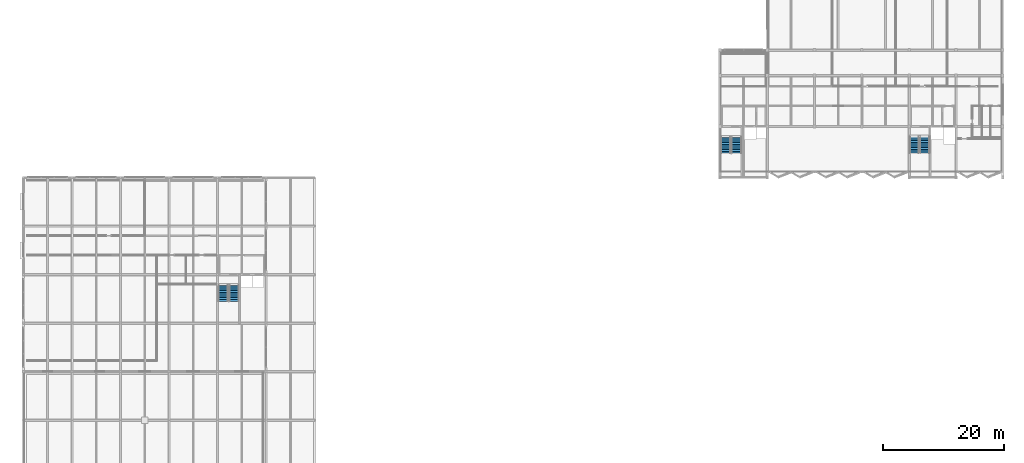
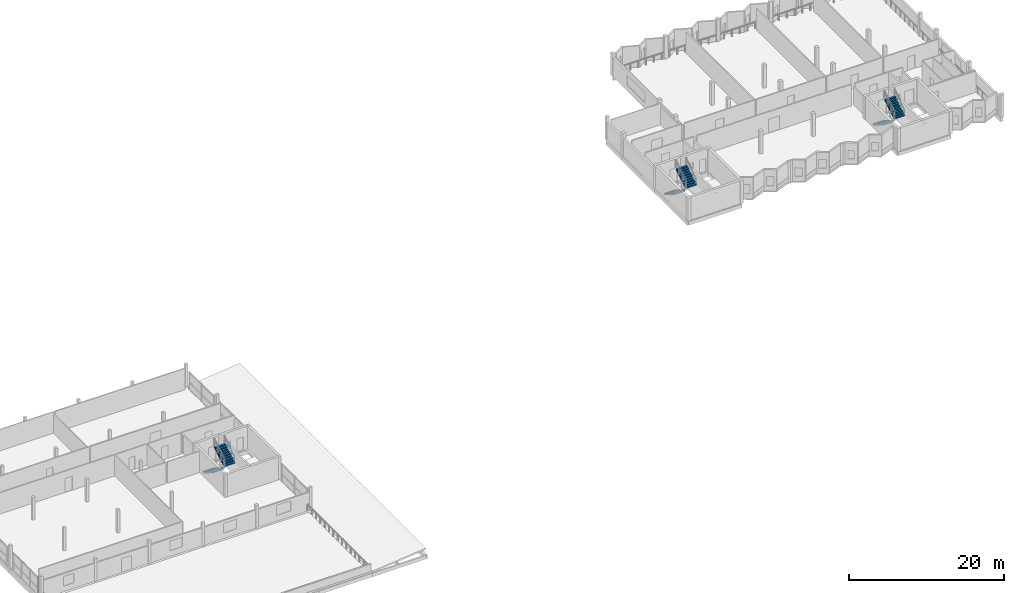
# One storey, part 19 of 25: 6 stair flights, 3 elements without a shape of their own.
"""IFC4 building model written with IfcOpenShell, lengths in metres."""

from ifc_helpers import new_model, si_unit, direction, frame, origin, place, context, subcontext, project, spatial, polyline, outline, extrude, material, type_object, element, aggregate, save


model = new_model("IFC4")

# Units and contexts
model_context = context("Model", 3, precision=1e-05, world=origin(), true_north=direction((0.0, 1.0)))
body_context = subcontext(model_context, "Body", "Model", "MODEL_VIEW")
ifc_project = project(units=[si_unit("LENGTHUNIT", "METRE"), si_unit("AREAUNIT", "SQUARE_METRE"), si_unit("VOLUMEUNIT", "CUBIC_METRE"), si_unit("PLANEANGLEUNIT", "RADIAN"), si_unit("MASSUNIT", "GRAM", prefix="KILO")], contexts=[model_context])

# Site, building, storey
site_placement = place(None, origin())
site = spatial("IfcSite", under=ifc_project, at=site_placement, CompositionType="ELEMENT")
building_placement = place(site_placement, origin())
building = spatial("IfcBuilding", under=site, at=building_placement, Name="Vharandega Faculty of Natural Sciences", CompositionType="ELEMENT")
storey_placement = place(building_placement, frame((0.0, 0.0, 25.199951171875)))
storey = spatial("IfcBuildingStorey", under=building, at=storey_placement, Name="L06", CompositionType="ELEMENT", Elevation=25.199951171875)

# Stair, stair flights
ifc_material_1 = material(Name="Concrete C40/50", Category="concrete")
stair_type_1 = type_object("IfcStairType", Name="Escape Dog-Leg Stair W160 H360", PredefinedType="HALF_TURN_STAIR", material=ifc_material_1)
stair_1_placement = place(storey_placement, origin())
stair_1 = element("IfcStair", 1, at=stair_1_placement, inside=storey, type_object=stair_type_1, Name="L06 Escape Stair ST2", PredefinedType="HALF_TURN_STAIR")
ifc_material_2 = material(Name="Concrete C40/50", Category="concrete")
stair_flight_type_1 = type_object("IfcStairFlightType", Name="Precast Stair Flight W160 H360", PredefinedType="STRAIGHT", material=ifc_material_2)
stair_flight_1_placement = place(storey_placement, frame((146.860107421875, 70.659912109375, 0.0), z_axis=(0.0, 0.0, 1.0), x_axis=(0.0, -1.0, 0.0)))
stair_flight_1 = element("IfcStairFlight", 2, at=stair_flight_1_placement, type_object=stair_flight_type_1, Name="ST2 flight 1", NumberOfRisers=10, NumberOfTreads=9, PredefinedType="STRAIGHT", RiserHeight=0.18, TreadLength=0.29, context=body_context, shape_type="SweptSolid", body=[
    extrude(outline(polyline([(0.0, 0.0), (0.0, 0.179931640625), (0.2900390625, 0.179931640625), (0.2900390625, 0.360107421875), (0.580078125, 0.360107421875), (0.580078125, 0.5400390625), (0.8701171875, 0.5400390625), (0.8701171875, 0.719970703125), (1.159912109375, 0.719970703125), (1.159912109375, 0.89990234375), (1.449951171875, 0.89990234375), (1.449951171875, 1.080078125), (1.739990234375, 1.080078125), (1.739990234375, 1.260009765625), (2.030029296875, 1.260009765625), (2.030029296875, 1.43994140625), (2.320068359375, 1.43994140625), (2.320068359375, 1.6201171875), (2.610107421875, 1.6201171875), (2.610107421875, 1.800048828125), (2.610107421875, 1.443603515625), (0.2841796875, 0.0), (0.0, 0.0)])), frame((0.0, 0.800048828125, 0.0), z_axis=(0.0, -1.0, 0.0), x_axis=(1.0, 0.0, 0.0)), (0.0, 0.0, 1.0), 1.60009765625),
])
stair_flight_2_placement = place(storey_placement, frame((148.580078125, 68.050048828125, 1.800048828125), z_axis=(0.0, 0.0, 1.0), x_axis=(0.0, 1.0, 0.0)))
stair_flight_2 = element("IfcStairFlight", 3, at=stair_flight_2_placement, type_object=stair_flight_type_1, Name="ST2 flight 2", NumberOfRisers=10, NumberOfTreads=9, PredefinedType="STRAIGHT", RiserHeight=0.18, TreadLength=0.29, context=body_context, shape_type="SweptSolid", body=[
    extrude(outline(polyline([(0.0, 0.0), (0.0, 0.179931640625), (0.2900390625, 0.179931640625), (0.2900390625, 0.360107421875), (0.580078125, 0.360107421875), (0.580078125, 0.5400390625), (0.8701171875, 0.5400390625), (0.8701171875, 0.719970703125), (1.159912109375, 0.719970703125), (1.159912109375, 0.89990234375), (1.449951171875, 0.89990234375), (1.449951171875, 1.080078125), (1.739990234375, 1.080078125), (1.739990234375, 1.260009765625), (2.030029296875, 1.260009765625), (2.030029296875, 1.43994140625), (2.320068359375, 1.43994140625), (2.320068359375, 1.6201171875), (2.610107421875, 1.6201171875), (2.610107421875, 1.800048828125), (2.610107421875, 1.443603515625), (0.2841796875, 0.0), (0.0, 0.0)])), frame((0.0, 0.800048828125, 0.0), z_axis=(0.0, -1.0, 0.0), x_axis=(1.0, 0.0, 0.0)), (0.0, 0.0, 1.0), 1.60009765625),
])
aggregate(stair_1, [stair_flight_1, stair_flight_2])

ifc_material_3 = material(Name="Concrete C40/50", Category="concrete")
stair_type_2 = type_object("IfcStairType", Name="Escape Dog-Leg Stair W165 H360", PredefinedType="HALF_TURN_STAIR", material=ifc_material_3)
stair_2_placement = place(storey_placement, origin())
stair_2 = element("IfcStair", 4, at=stair_2_placement, inside=storey, type_object=stair_type_2, Name="L06 Escape Stair ST1", PredefinedType="HALF_TURN_STAIR")
ifc_material_4 = material(Name="Concrete C40/50", Category="concrete")
stair_flight_type_2 = type_object("IfcStairFlightType", Name="Precast Stair Flight W165 H360", PredefinedType="STRAIGHT", material=ifc_material_4)
stair_flight_3_placement = place(storey_placement, frame((115.764892578125, 70.610107421875, 0.0), z_axis=(0.0, 0.0, 1.0), x_axis=(0.0, -1.0, 0.0)))
stair_flight_3 = element("IfcStairFlight", 5, at=stair_flight_3_placement, type_object=stair_flight_type_2, Name="ST1 flight 1", NumberOfRisers=10, NumberOfTreads=9, PredefinedType="STRAIGHT", RiserHeight=0.18, TreadLength=0.29, context=body_context, shape_type="SweptSolid", body=[
    extrude(outline(polyline([(0.0, 0.0), (0.0, 0.179931640625), (0.2900390625, 0.179931640625), (0.2900390625, 0.360107421875), (0.580078125, 0.360107421875), (0.580078125, 0.5400390625), (0.8701171875, 0.5400390625), (0.8701171875, 0.719970703125), (1.159912109375, 0.719970703125), (1.159912109375, 0.89990234375), (1.449951171875, 0.89990234375), (1.449951171875, 1.080078125), (1.739990234375, 1.080078125), (1.739990234375, 1.260009765625), (2.030029296875, 1.260009765625), (2.030029296875, 1.43994140625), (2.320068359375, 1.43994140625), (2.320068359375, 1.6201171875), (2.610107421875, 1.6201171875), (2.610107421875, 1.800048828125), (2.610107421875, 1.443603515625), (0.2841796875, 0.0), (0.0, 0.0)])), frame((0.0, 0.824951171875, 0.0), z_axis=(0.0, -1.0, 0.0), x_axis=(1.0, 0.0, 0.0)), (0.0, 0.0, 1.0), 1.64990234375),
])
stair_flight_4_placement = place(storey_placement, frame((117.534912109375, 68.0, 1.800048828125), z_axis=(0.0, 0.0, 1.0), x_axis=(0.0, 1.0, 0.0)))
stair_flight_4 = element("IfcStairFlight", 6, at=stair_flight_4_placement, type_object=stair_flight_type_2, Name="ST1 flight 2", NumberOfRisers=10, NumberOfTreads=9, PredefinedType="STRAIGHT", RiserHeight=0.18, TreadLength=0.29, context=body_context, shape_type="SweptSolid", body=[
    extrude(outline(polyline([(0.0, 0.0), (0.0, 0.179931640625), (0.2900390625, 0.179931640625), (0.2900390625, 0.360107421875), (0.580078125, 0.360107421875), (0.580078125, 0.5400390625), (0.8701171875, 0.5400390625), (0.8701171875, 0.719970703125), (1.159912109375, 0.719970703125), (1.159912109375, 0.89990234375), (1.449951171875, 0.89990234375), (1.449951171875, 1.080078125), (1.739990234375, 1.080078125), (1.739990234375, 1.260009765625), (2.030029296875, 1.260009765625), (2.030029296875, 1.43994140625), (2.320068359375, 1.43994140625), (2.320068359375, 1.6201171875), (2.610107421875, 1.6201171875), (2.610107421875, 1.800048828125), (2.610107421875, 1.443603515625), (0.2841796875, 0.0), (0.0, 0.0)])), frame((0.0, 0.824951171875, 0.0), z_axis=(0.0, -1.0, 0.0), x_axis=(1.0, 0.0, 0.0)), (0.0, 0.0, 1.0), 1.64990234375),
])
aggregate(stair_2, [stair_flight_3, stair_flight_4])

stair_3_placement = place(storey_placement, origin())
stair_3 = element("IfcStair", 7, at=stair_3_placement, inside=storey, type_object=stair_type_2, Name="L06 Escape Stair ST3", PredefinedType="HALF_TURN_STAIR")
stair_flight_5_placement = place(storey_placement, frame((32.965087890625, 46.2099609375, 0.0), z_axis=(0.0, 0.0, 1.0), x_axis=(0.0, -1.0, 0.0)))
stair_flight_5 = element("IfcStairFlight", 8, at=stair_flight_5_placement, type_object=stair_flight_type_2, Name="ST3 flight 1", NumberOfRisers=10, NumberOfTreads=9, PredefinedType="STRAIGHT", RiserHeight=0.18, TreadLength=0.29, context=body_context, shape_type="SweptSolid", body=[
    extrude(outline(polyline([(0.0, 0.0), (0.0, 0.179931640625), (0.2900390625, 0.179931640625), (0.2900390625, 0.360107421875), (0.580078125, 0.360107421875), (0.580078125, 0.5400390625), (0.8701171875, 0.5400390625), (0.8701171875, 0.719970703125), (1.159912109375, 0.719970703125), (1.159912109375, 0.89990234375), (1.449951171875, 0.89990234375), (1.449951171875, 1.080078125), (1.739990234375, 1.080078125), (1.739990234375, 1.260009765625), (2.030029296875, 1.260009765625), (2.030029296875, 1.43994140625), (2.320068359375, 1.43994140625), (2.320068359375, 1.6201171875), (2.610107421875, 1.6201171875), (2.610107421875, 1.800048828125), (2.610107421875, 1.443603515625), (0.2841796875, 0.0), (0.0, 0.0)])), frame((0.0, 0.824951171875, 0.0), z_axis=(0.0, -1.0, 0.0), x_axis=(1.0, 0.0, 0.0)), (0.0, 0.0, 1.0), 1.64990234375),
])
stair_flight_6_placement = place(storey_placement, frame((34.735107421875, 43.60009765625, 1.800048828125), z_axis=(0.0, 0.0, 1.0), x_axis=(0.0, 1.0, 0.0)))
stair_flight_6 = element("IfcStairFlight", 9, at=stair_flight_6_placement, type_object=stair_flight_type_2, Name="ST3 flight 2", NumberOfRisers=10, NumberOfTreads=9, PredefinedType="STRAIGHT", RiserHeight=0.18, TreadLength=0.29, context=body_context, shape_type="SweptSolid", body=[
    extrude(outline(polyline([(0.0, 0.0), (0.0, 0.179931640625), (0.2900390625, 0.179931640625), (0.2900390625, 0.360107421875), (0.580078125, 0.360107421875), (0.580078125, 0.5400390625), (0.8701171875, 0.5400390625), (0.8701171875, 0.719970703125), (1.159912109375, 0.719970703125), (1.159912109375, 0.89990234375), (1.449951171875, 0.89990234375), (1.449951171875, 1.080078125), (1.739990234375, 1.080078125), (1.739990234375, 1.260009765625), (2.030029296875, 1.260009765625), (2.030029296875, 1.43994140625), (2.320068359375, 1.43994140625), (2.320068359375, 1.6201171875), (2.610107421875, 1.6201171875), (2.610107421875, 1.800048828125), (2.610107421875, 1.443603515625), (0.2841796875, 0.0), (0.0, 0.0)])), frame((0.0, 0.824951171875, 0.0), z_axis=(0.0, -1.0, 0.0), x_axis=(1.0, 0.0, 0.0)), (0.0, 0.0, 1.0), 1.64990234375),
])
aggregate(stair_3, [stair_flight_5, stair_flight_6])

save(model, "model.ifc")
